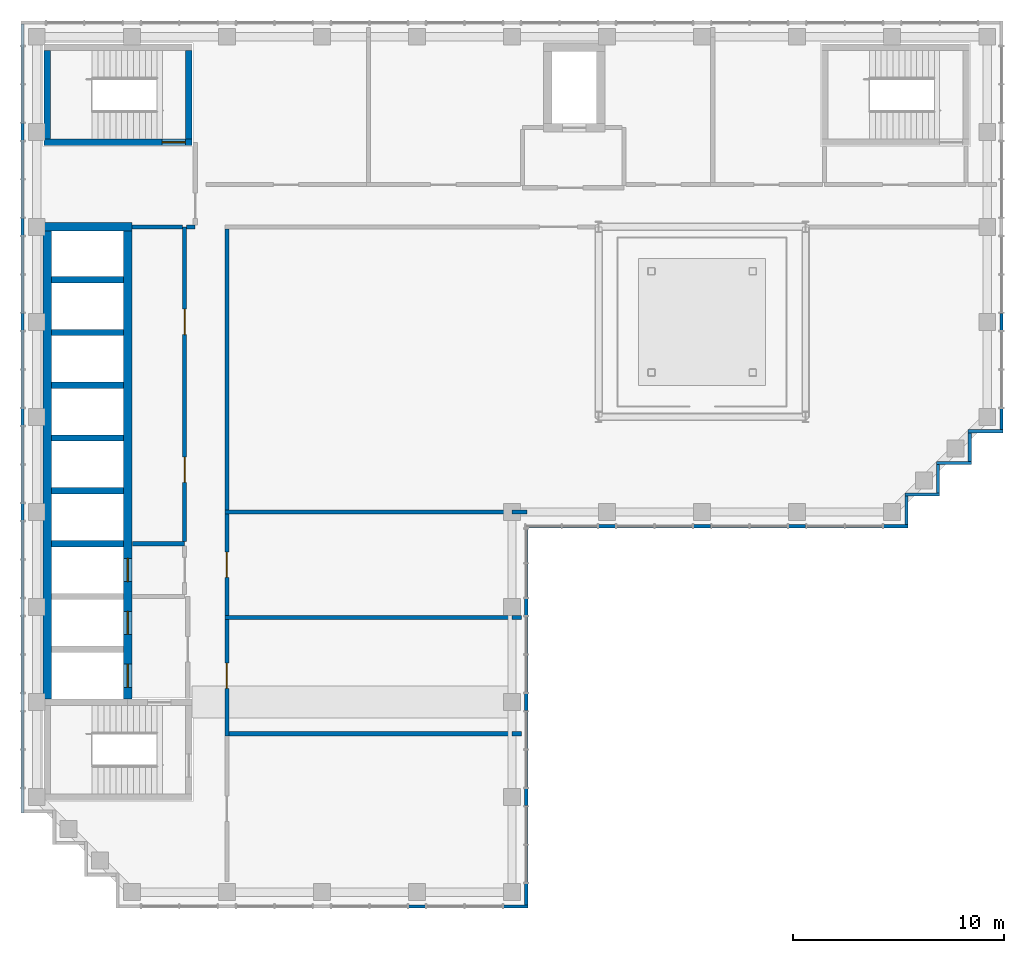
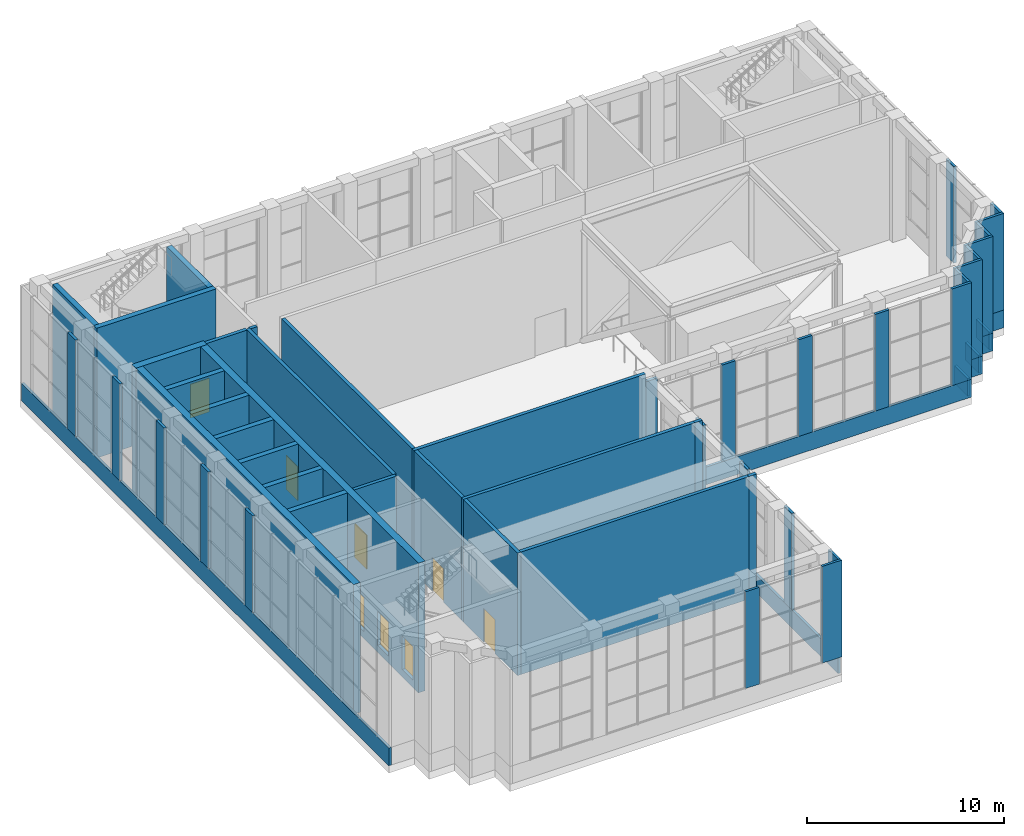
# One storey, part 13 of 17: 57 walls, 8 doors, 8 openings.
"""IFC4 building model written with IfcOpenShell, lengths in metres."""

from ifc_helpers import new_model, si_unit, direction, frame, frame_2d, origin, place, context, subcontext, project, spatial, rectangle, extrude, material, layer, layer_set, type_object, element, fill, save


model = new_model("IFC4")

# Units and contexts
model_context = context("Model", 3, precision=1e-05, world=origin(), true_north=direction((0.0, 1.0)))
body_context = subcontext(model_context, "Body", "Model", "MODEL_VIEW")
ifc_project = project(units=[si_unit("LENGTHUNIT", "METRE"), si_unit("AREAUNIT", "SQUARE_METRE"), si_unit("VOLUMEUNIT", "CUBIC_METRE"), si_unit("PLANEANGLEUNIT", "RADIAN"), si_unit("MASSUNIT", "GRAM", prefix="KILO")], contexts=[model_context])

# Site, building, storey
site_placement = place(None, origin())
site = spatial("IfcSite", under=ifc_project, at=site_placement, CompositionType="ELEMENT")
building_placement = place(site_placement, origin())
building = spatial("IfcBuilding", under=site, at=building_placement, Name="Firuza Court", CompositionType="ELEMENT")
storey_placement = place(building_placement, frame((0.0, 0.0, 258.199951171875)))
storey = spatial("IfcBuildingStorey", under=building, at=storey_placement, Name="L67", CompositionType="ELEMENT", Elevation=258.199951171875)

# Wall, opening, door
ifc_material_1 = material(Name="Concrete C50/60", Category="concrete")
ifc_layer_1 = layer(ifc_material_1, 0.300048828125)
ifc_layer_set_1 = layer_set([ifc_layer_1], Name="Concrete C50/60")
wall_type_1 = type_object("IfcWallType", Name="Core wall 300 C50/60", PredefinedType="SHEAR", material=ifc_layer_set_1)
wall_1_placement = place(storey_placement, frame((0.35009765625, 53.5, -0.449951171875), z_axis=(0.0, 0.0, 1.0), x_axis=(1.0, 0.0, 0.0)))
wall_1 = element("IfcWall", 1, at=wall_1_placement, inside=storey, type_object=wall_type_1, Name="Core wall stair L67", PredefinedType="SHEAR", context=body_context, shape_type="SweptSolid", body=[
    extrude(rectangle(XDim=7.0, YDim=0.300048828125, at=frame_2d((3.5, 0.0))), origin(), (0.0, 0.0, 1.0), 8.050048828125),
])
opening_1_placement = place(wall_1_placement, frame((5.580078125, 0.0, 0.449951171875)))
opening_1 = element("IfcOpeningElement", 2, at=opening_1_placement, cuts=wall_1, Name="Opening D67011", PredefinedType="OPENING", context=body_context, shape_type="SweptSolid", body=[
    extrude(rectangle(XDim=1.10009765625, YDim=2.10009765625, at=frame_2d((0.550048828125, 1.050048828125))), frame((0.0, 0.162109375, 0.0), z_axis=(0.0, -1.0, 0.0), x_axis=(1.0, 0.0, 0.0)), (0.0, 0.0, 1.0), 0.323974609375),
])
ifc_material_2 = material(Name="Timber door leaf in hardwood frame", Category="wood")
door_type_1 = type_object("IfcDoorType", Name="Stair door 1100", OperationType="SINGLE_SWING_LEFT", PredefinedType="DOOR", material=ifc_material_2)
door_1_placement = place(opening_1_placement, origin())
door_1 = element("IfcDoor", 3, at=door_1_placement, inside=storey, type_object=door_type_1, Name="Stair door S3", OperationType="SINGLE_SWING_RIGHT", OverallHeight=2.10009765625, OverallWidth=1.10009765625, PredefinedType="DOOR", context=body_context, shape_type="SweptSolid", body=[
    extrude(rectangle(XDim=1.10009765625, YDim=2.10009765625, at=frame_2d((0.550048828125, 1.050048828125))), frame((0.0, 0.02490234375, 0.0), z_axis=(0.0, -1.0, 0.0), x_axis=(1.0, 0.0, 0.0)), (0.0, 0.0, 1.0), 0.050048828125),
])
fill(opening_1, door_1)

# Walls
wall_2_placement = place(storey_placement, frame((0.5, 53.64990234375, -0.449951171875), z_axis=(0.0, 0.0, 1.0), x_axis=(0.0, 1.0, 0.0)))
element("IfcWall", 4, at=wall_2_placement, inside=storey, type_object=wall_type_1, Name="Core wall stair L67", PredefinedType="SHEAR", context=body_context, shape_type="SweptSolid", body=[
    extrude(rectangle(XDim=4.2001953125, YDim=0.300048828125, at=frame_2d((2.10009765625, 0.0))), origin(), (0.0, 0.0, 1.0), 8.050048828125),
])
for number, where, z_axis, x_axis, name in (
    (5, (0.699951171875, 34.5, -0.449951171875), (0.0, 0.0, 1.0), (1.0, 0.0, 0.0), "Core wall lift shaft L67"),
    (6, (0.699951171875, 37.0, -0.449951171875), (0.0, 0.0, 1.0), (1.0, 0.0, 0.0), "Core wall lift shaft L67"),
    (7, (0.699951171875, 39.5, -0.449951171875), (0.0, 0.0, 1.0), (1.0, 0.0, 0.0), "Core wall lift shaft L67"),
    (8, (0.699951171875, 42.0, -0.449951171875), (0.0, 0.0, 1.0), (1.0, 0.0, 0.0), "Core wall lift shaft L67"),
    (9, (0.699951171875, 44.5, -0.449951171875), (0.0, 0.0, 1.0), (1.0, 0.0, 0.0), "Core wall lift shaft L67"),
    (10, (0.699951171875, 47.0, -0.449951171875), (0.0, 0.0, 1.0), (1.0, 0.0, 0.0), "Core wall lift shaft L67"),
):
    element("IfcWall", number, at=place(storey_placement, frame(where, z_axis=z_axis, x_axis=x_axis)), inside=storey, type_object=wall_type_1, Name=name, PredefinedType="SHEAR", context=body_context, shape_type="SweptSolid", body=[
        extrude(rectangle(XDim=3.400146484375, YDim=0.300048828125, at=frame_2d((1.7001953125, 0.0))), origin(), (0.0, 0.0, 1.0), 8.050048828125),
    ])
wall_3_placement = place(storey_placement, frame((7.199951171875, 53.64990234375, -0.449951171875), z_axis=(0.0, 0.0, 1.0), x_axis=(0.0, 1.0, 0.0)))
element("IfcWall", 11, at=wall_3_placement, inside=storey, type_object=wall_type_1, Name="Core wall stair L67", PredefinedType="SHEAR", context=body_context, shape_type="SweptSolid", body=[
    extrude(rectangle(XDim=4.2001953125, YDim=0.300048828125, at=frame_2d((2.10009765625, 0.0))), origin(), (0.0, 0.0, 1.0), 8.050048828125),
])
ifc_layer_2 = layer(ifc_material_1, 0.39990234375)
ifc_layer_set_2 = layer_set([ifc_layer_2], Name="Concrete C50/60")
wall_type_2 = type_object("IfcWallType", Name="Core wall 400 C50/60", PredefinedType="SHEAR", material=ifc_layer_set_2)
wall_4_placement = place(storey_placement, frame((0.300048828125, 49.5, -0.449951171875), z_axis=(0.0, 0.0, 1.0), x_axis=(1.0, 0.0, 0.0)))
element("IfcWall", 12, at=wall_4_placement, inside=storey, type_object=wall_type_2, Name="Core wall lift shaft L67", PredefinedType="SHEAR", context=body_context, shape_type="SweptSolid", body=[
    extrude(rectangle(XDim=4.199951171875, YDim=0.39990234375, at=frame_2d((2.10009765625, 0.0))), origin(), (0.0, 0.0, 1.0), 8.050048828125),
])
wall_5_placement = place(storey_placement, frame((0.5, 27.14990234375, -0.449951171875), z_axis=(0.0, 0.0, 1.0), x_axis=(0.0, 1.0, 0.0)))
element("IfcWall", 13, at=wall_5_placement, inside=storey, type_object=wall_type_2, Name="Core wall lift shaft L67", PredefinedType="SHEAR", context=body_context, shape_type="SweptSolid", body=[
    extrude(rectangle(XDim=22.150146484375, YDim=0.39990234375, at=frame_2d((11.0751953125, 0.0))), origin(), (0.0, 0.0, 1.0), 8.050048828125),
])

# Wall, openings, doors
wall_6_placement = place(storey_placement, frame((4.300048828125, 27.14990234375, -0.449951171875), z_axis=(0.0, 0.0, 1.0), x_axis=(0.0, 1.0, 0.0)))
wall_6 = element("IfcWall", 14, at=wall_6_placement, inside=storey, type_object=wall_type_2, Name="Core wall lift shaft L67", PredefinedType="SHEAR", context=body_context, shape_type="SweptSolid", body=[
    extrude(rectangle(XDim=22.150146484375, YDim=0.39990234375, at=frame_2d((11.0751953125, 0.0))), origin(), (0.0, 0.0, 1.0), 8.050048828125),
])
opening_2_placement = place(wall_6_placement, frame((3.050048828125, 0.0, 0.449951171875)))
opening_2 = element("IfcOpeningElement", 15, at=opening_2_placement, cuts=wall_6, Name="Opening LD-FL1-67", PredefinedType="OPENING", context=body_context, shape_type="SweptSolid", body=[
    extrude(rectangle(XDim=1.10009765625, YDim=2.10009765625, at=frame_2d((0.550048828125, 1.050048828125))), frame((0.0, 0.2119140625, 0.0), z_axis=(0.0, -1.0, 0.0), x_axis=(1.0, 0.0, 0.0)), (0.0, 0.0, 1.0), 0.423828125),
])
opening_3_placement = place(wall_6_placement, frame((0.550048828125, 0.0, 0.449951171875)))
opening_3 = element("IfcOpeningElement", 16, at=opening_3_placement, cuts=wall_6, Name="Opening LD-FL2-67", PredefinedType="OPENING", context=body_context, shape_type="SweptSolid", body=[
    extrude(rectangle(XDim=1.10009765625, YDim=2.10009765625, at=frame_2d((0.550048828125, 1.050048828125))), frame((0.0, 0.2119140625, 0.0), z_axis=(0.0, -1.0, 0.0), x_axis=(1.0, 0.0, 0.0)), (0.0, 0.0, 1.0), 0.423828125),
])
opening_4_placement = place(wall_6_placement, frame((5.550048828125, 0.0, 0.449951171875)))
opening_4 = element("IfcOpeningElement", 17, at=opening_4_placement, cuts=wall_6, Name="Opening LD-SL1-67", PredefinedType="OPENING", context=body_context, shape_type="SweptSolid", body=[
    extrude(rectangle(XDim=1.10009765625, YDim=2.10009765625, at=frame_2d((0.550048828125, 1.050048828125))), frame((0.0, 0.2119140625, 0.0), z_axis=(0.0, -1.0, 0.0), x_axis=(1.0, 0.0, 0.0)), (0.0, 0.0, 1.0), 0.423828125),
])
ifc_material_3 = material(Name="Stainless steel 1.4301 door leaf", Category="steel")
door_type_2 = type_object("IfcDoorType", Name="Lift landing door 1100", OperationType="SLIDING_TO_LEFT", PredefinedType="DOOR", material=ifc_material_3)
door_2_placement = place(opening_2_placement, origin())
door_2 = element("IfcDoor", 18, at=door_2_placement, inside=storey, type_object=door_type_2, Name="Landing door FL1", OperationType="SLIDING_TO_LEFT", OverallHeight=2.10009765625, OverallWidth=1.10009765625, PredefinedType="DOOR", context=body_context, shape_type="SweptSolid", body=[
    extrude(rectangle(XDim=1.10009765625, YDim=2.10009765625, at=frame_2d((0.550048828125, 1.050048828125))), frame((0.0, 0.02490234375, 0.0), z_axis=(0.0, -1.0, 0.0), x_axis=(1.0, 0.0, 0.0)), (0.0, 0.0, 1.0), 0.050048828125),
])
fill(opening_2, door_2)
door_3_placement = place(opening_3_placement, origin())
door_3 = element("IfcDoor", 19, at=door_3_placement, inside=storey, type_object=door_type_2, Name="Landing door FL2", OperationType="SLIDING_TO_LEFT", OverallHeight=2.10009765625, OverallWidth=1.10009765625, PredefinedType="DOOR", context=body_context, shape_type="SweptSolid", body=[
    extrude(rectangle(XDim=1.10009765625, YDim=2.10009765625, at=frame_2d((0.550048828125, 1.050048828125))), frame((0.0, 0.02490234375, 0.0), z_axis=(0.0, -1.0, 0.0), x_axis=(1.0, 0.0, 0.0)), (0.0, 0.0, 1.0), 0.050048828125),
])
fill(opening_3, door_3)
door_4_placement = place(opening_4_placement, origin())
door_4 = element("IfcDoor", 20, at=door_4_placement, inside=storey, type_object=door_type_2, Name="Landing door SL1", OperationType="SLIDING_TO_LEFT", OverallHeight=2.10009765625, OverallWidth=1.10009765625, PredefinedType="DOOR", context=body_context, shape_type="SweptSolid", body=[
    extrude(rectangle(XDim=1.10009765625, YDim=2.10009765625, at=frame_2d((0.550048828125, 1.050048828125))), frame((0.0, 0.02490234375, 0.0), z_axis=(0.0, -1.0, 0.0), x_axis=(1.0, 0.0, 0.0)), (0.0, 0.0, 1.0), 0.050048828125),
])
fill(opening_4, door_4)

# Wall
ifc_material_4 = material(Name="Blockwork, fire-rated", Category="masonry")
ifc_layer_3 = layer(ifc_material_4, 0.199951171875)
ifc_layer_set_3 = layer_set([ifc_layer_3], Name="Blockwork, fire-rated")
wall_type_3 = type_object("IfcWallType", Name="Plant room wall 200", PredefinedType="PARTITIONING", material=ifc_layer_set_3)
wall_7_placement = place(storey_placement, frame((9.10009765625, 25.5, 0.0), z_axis=(0.0, 0.0, 1.0), x_axis=(1.0, 0.0, 0.0)))
element("IfcWall", 21, at=wall_7_placement, inside=storey, type_object=wall_type_3, Name="Plant room wall 200 L67", PredefinedType="PARTITIONING", context=body_context, shape_type="SweptSolid", body=[
    extrude(rectangle(XDim=13.39990234375, YDim=0.199951171875, at=frame_2d((6.699951171875, 0.0))), origin(), (0.0, 0.0, 1.0), 7.60009765625),
])

# Wall, opening, door
wall_8_placement = place(storey_placement, frame((9.0, 25.39990234375, 0.0), z_axis=(0.0, 0.0, 1.0), x_axis=(0.0, 1.0, 0.0)))
wall_8 = element("IfcWall", 22, at=wall_8_placement, inside=storey, type_object=wall_type_3, Name="Plant room wall 200 L67", PredefinedType="PARTITIONING", context=body_context, shape_type="SweptSolid", body=[
    extrude(rectangle(XDim=5.5, YDim=0.199951171875, at=frame_2d((2.75, 0.0))), origin(), (0.0, 0.0, 1.0), 7.60009765625),
])
opening_5_placement = place(wall_8_placement, frame((2.25, 0.0, 0.0)))
opening_5 = element("IfcOpeningElement", 23, at=opening_5_placement, cuts=wall_8, Name="Opening D67013", PredefinedType="OPENING", context=body_context, shape_type="SweptSolid", body=[
    extrude(rectangle(XDim=1.199951171875, YDim=2.10009765625, at=frame_2d((0.60009765625, 1.050048828125))), frame((0.0, 0.11181640625, 0.0), z_axis=(0.0, -1.0, 0.0), x_axis=(1.0, 0.0, 0.0)), (0.0, 0.0, 1.0), 0.223876953125),
])
ifc_material_5 = material(Name="Timber door leaf in hardwood frame", Category="wood")
door_type_3 = type_object("IfcDoorType", Name="Plant room door 1200", OperationType="SINGLE_SWING_LEFT", PredefinedType="DOOR", material=ifc_material_5)
door_5_placement = place(opening_5_placement, frame((1.199951171875, 0.0, 0.0), z_axis=(0.0, 0.0, 1.0), x_axis=(-1.0, 0.0, 0.0)))
door_5 = element("IfcDoor", 24, at=door_5_placement, inside=storey, type_object=door_type_3, Name="Plant door", OperationType="SINGLE_SWING_RIGHT", OverallHeight=2.10009765625, OverallWidth=1.199951171875, PredefinedType="DOOR", context=body_context, shape_type="SweptSolid", body=[
    extrude(rectangle(XDim=1.199951171875, YDim=2.10009765625, at=frame_2d((0.60009765625, 1.050048828125))), frame((0.0, 0.02490234375, 0.0), z_axis=(0.0, -1.0, 0.0), x_axis=(1.0, 0.0, 0.0)), (0.0, 0.0, 1.0), 0.050048828125),
])
fill(opening_5, door_5)

# Walls
wall_9_placement = place(storey_placement, frame((22.5, 25.5, 0.0), z_axis=(0.0, 0.0, 1.0), x_axis=(1.0, 0.0, 0.0)))
element("IfcWall", 25, at=wall_9_placement, inside=storey, type_object=wall_type_3, Name="Plant room wall 200 L67", PredefinedType="PARTITIONING", context=body_context, shape_type="SweptSolid", body=[
    extrude(rectangle(XDim=0.449951171875, YDim=0.199951171875, at=frame_2d((0.22509765625, 0.0))), origin(), (0.0, 0.0, 1.0), 7.60009765625),
])
wall_10_placement = place(storey_placement, frame((8.89990234375, 31.0, 0.0), z_axis=(0.0, 0.0, 1.0), x_axis=(1.0, 0.0, 0.0)))
element("IfcWall", 26, at=wall_10_placement, inside=storey, type_object=wall_type_3, Name="Plant room wall 200 L67", PredefinedType="PARTITIONING", context=body_context, shape_type="SweptSolid", body=[
    extrude(rectangle(XDim=13.60009765625, YDim=0.199951171875, at=frame_2d((6.800048828125, 0.0))), origin(), (0.0, 0.0, 1.0), 7.60009765625),
])

# Wall, opening, door
wall_11_placement = place(storey_placement, frame((9.0, 31.10009765625, 0.0), z_axis=(0.0, 0.0, 1.0), x_axis=(0.0, 1.0, 0.0)))
wall_11 = element("IfcWall", 27, at=wall_11_placement, inside=storey, type_object=wall_type_3, Name="Plant room wall 200 L67", PredefinedType="PARTITIONING", context=body_context, shape_type="SweptSolid", body=[
    extrude(rectangle(XDim=4.7998046875, YDim=0.199951171875, at=frame_2d((2.39990234375, 0.0))), origin(), (0.0, 0.0, 1.0), 7.60009765625),
])
opening_6_placement = place(wall_11_placement, frame((1.800048828125, 0.0, 0.0)))
opening_6 = element("IfcOpeningElement", 28, at=opening_6_placement, cuts=wall_11, Name="Opening D67014", PredefinedType="OPENING", context=body_context, shape_type="SweptSolid", body=[
    extrude(rectangle(XDim=1.199951171875, YDim=2.10009765625, at=frame_2d((0.60009765625, 1.050048828125))), frame((0.0, 0.11181640625, 0.0), z_axis=(0.0, -1.0, 0.0), x_axis=(1.0, 0.0, 0.0)), (0.0, 0.0, 1.0), 0.223876953125),
])
door_6_placement = place(opening_6_placement, frame((1.199951171875, 0.0, 0.0), z_axis=(0.0, 0.0, 1.0), x_axis=(-1.0, 0.0, 0.0)))
door_6 = element("IfcDoor", 29, at=door_6_placement, inside=storey, type_object=door_type_3, Name="Plant door", OperationType="SINGLE_SWING_RIGHT", OverallHeight=2.10009765625, OverallWidth=1.199951171875, PredefinedType="DOOR", context=body_context, shape_type="SweptSolid", body=[
    extrude(rectangle(XDim=1.199951171875, YDim=2.10009765625, at=frame_2d((0.60009765625, 1.050048828125))), frame((0.0, 0.02490234375, 0.0), z_axis=(0.0, -1.0, 0.0), x_axis=(1.0, 0.0, 0.0)), (0.0, 0.0, 1.0), 0.050048828125),
])
fill(opening_6, door_6)

# Walls
wall_12_placement = place(storey_placement, frame((22.5, 31.0, 0.0), z_axis=(0.0, 0.0, 1.0), x_axis=(1.0, 0.0, 0.0)))
element("IfcWall", 30, at=wall_12_placement, inside=storey, type_object=wall_type_3, Name="Plant room wall 200 L67", PredefinedType="PARTITIONING", context=body_context, shape_type="SweptSolid", body=[
    extrude(rectangle(XDim=0.449951171875, YDim=0.199951171875, at=frame_2d((0.22509765625, 0.0))), origin(), (0.0, 0.0, 1.0), 7.60009765625),
])
wall_13_placement = place(storey_placement, frame((9.0, 36.10009765625, 0.0), z_axis=(0.0, 0.0, 1.0), x_axis=(0.0, 1.0, 0.0)))
element("IfcWall", 31, at=wall_13_placement, inside=storey, type_object=wall_type_3, Name="Plant room wall 200 L67", PredefinedType="PARTITIONING", context=body_context, shape_type="SweptSolid", body=[
    extrude(rectangle(XDim=13.2998046875, YDim=0.199951171875, at=frame_2d((6.64990234375, 0.0))), origin(), (0.0, 0.0, 1.0), 7.60009765625),
])
wall_14_placement = place(storey_placement, frame((22.5, 36.0, 0.0), z_axis=(0.0, 0.0, 1.0), x_axis=(-1.0, 0.0, 0.0)))
element("IfcWall", 32, at=wall_14_placement, inside=storey, type_object=wall_type_3, Name="Plant room wall 200 L67", PredefinedType="PARTITIONING", context=body_context, shape_type="SweptSolid", body=[
    extrude(rectangle(XDim=13.60009765625, YDim=0.199951171875, at=frame_2d((6.800048828125, 0.0))), origin(), (0.0, 0.0, 1.0), 7.60009765625),
])
wall_15_placement = place(storey_placement, frame((23.199951171875, 36.0, 0.0), z_axis=(0.0, 0.0, 1.0), x_axis=(-1.0, 0.0, 0.0)))
element("IfcWall", 33, at=wall_15_placement, inside=storey, type_object=wall_type_3, Name="Plant room wall 200 L67", PredefinedType="PARTITIONING", context=body_context, shape_type="SweptSolid", body=[
    extrude(rectangle(XDim=0.699951171875, YDim=0.199951171875, at=frame_2d((0.35009765625, 0.0))), origin(), (0.0, 0.0, 1.0), 7.10009765625),
])
ifc_material_6 = material(Name="Ceramic tile", Category="ceramic")
ifc_layer_4 = layer(ifc_material_6, 0.02001953125)
ifc_material_7 = material(Name="Mineral wool insulation", Category="insulation")
ifc_layer_5 = layer(ifc_material_7, 0.050048828125)
ifc_material_8 = material(Name="Concrete C40/50 precast", Category="concrete")
ifc_layer_6 = layer(ifc_material_8, 0.080078125)
ifc_layer_set_4 = layer_set([ifc_layer_4, ifc_layer_5, ifc_layer_6], Name="Concrete C40/50 precast")
wall_type_4 = type_object("IfcWallType", Name="Precast cladding wall with turquoise TILE PANEL face 150", PredefinedType="STANDARD", material=ifc_layer_set_4)
wall_16_placement = place(storey_placement, frame((23.175048828125, 17.39990234375, 0.0), z_axis=(0.0, 0.0, 1.0), x_axis=(0.0, 1.0, 0.0)))
element("IfcWall", 34, at=wall_16_placement, inside=storey, type_object=wall_type_4, Name="Facade kerb wall L67 E", PredefinedType="STANDARD", context=body_context, shape_type="SweptSolid", body=[
    extrude(rectangle(XDim=17.85009765625, YDim=0.14990234375, at=frame_2d((8.925048828125, 0.0))), origin(), (0.0, 0.0, 1.0), 1.10009765625),
])
wall_17_placement = place(storey_placement, frame((23.10009765625, 35.324951171875, 0.0), z_axis=(0.0, 0.0, 1.0), x_axis=(1.0, 0.0, 0.0)))
element("IfcWall", 35, at=wall_17_placement, inside=storey, type_object=wall_type_4, Name="Facade kerb wall L67 S", PredefinedType="STANDARD", context=body_context, shape_type="SweptSolid", body=[
    extrude(rectangle(XDim=18.14990234375, YDim=0.14990234375, at=frame_2d((9.074951171875, 0.0))), origin(), (0.0, 0.0, 1.0), 1.10009765625),
])
wall_18_placement = place(storey_placement, frame((41.175048828125, 35.39990234375, 0.0), z_axis=(0.0, 0.0, 1.0), x_axis=(0.0, 1.0, 0.0)))
element("IfcWall", 36, at=wall_18_placement, inside=storey, type_object=wall_type_4, Name="Facade kerb wall L67 E", PredefinedType="STANDARD", context=body_context, shape_type="SweptSolid", body=[
    extrude(rectangle(XDim=1.35009765625, YDim=0.14990234375, at=frame_2d((0.675048828125, 0.0))), origin(), (0.0, 0.0, 1.0), 1.10009765625),
])
wall_19_placement = place(storey_placement, frame((41.10009765625, 36.824951171875, 0.0), z_axis=(0.0, 0.0, 1.0), x_axis=(1.0, 0.0, 0.0)))
element("IfcWall", 37, at=wall_19_placement, inside=storey, type_object=wall_type_4, Name="Facade kerb wall L67 S", PredefinedType="STANDARD", context=body_context, shape_type="SweptSolid", body=[
    extrude(rectangle(XDim=1.64990234375, YDim=0.14990234375, at=frame_2d((0.824951171875, 0.0))), origin(), (0.0, 0.0, 1.0), 1.10009765625),
])
wall_20_placement = place(storey_placement, frame((42.675048828125, 36.89990234375, 0.0), z_axis=(0.0, 0.0, 1.0), x_axis=(0.0, 1.0, 0.0)))
element("IfcWall", 38, at=wall_20_placement, inside=storey, type_object=wall_type_4, Name="Facade kerb wall L67 E", PredefinedType="STANDARD", context=body_context, shape_type="SweptSolid", body=[
    extrude(rectangle(XDim=1.35009765625, YDim=0.14990234375, at=frame_2d((0.675048828125, 0.0))), origin(), (0.0, 0.0, 1.0), 1.10009765625),
])
wall_21_placement = place(storey_placement, frame((42.60009765625, 38.324951171875, 0.0), z_axis=(0.0, 0.0, 1.0), x_axis=(1.0, 0.0, 0.0)))
element("IfcWall", 39, at=wall_21_placement, inside=storey, type_object=wall_type_4, Name="Facade kerb wall L67 S", PredefinedType="STANDARD", context=body_context, shape_type="SweptSolid", body=[
    extrude(rectangle(XDim=1.64990234375, YDim=0.14990234375, at=frame_2d((0.824951171875, 0.0))), origin(), (0.0, 0.0, 1.0), 1.10009765625),
])
wall_22_placement = place(storey_placement, frame((44.175048828125, 38.39990234375, 0.0), z_axis=(0.0, 0.0, 1.0), x_axis=(0.0, 1.0, 0.0)))
element("IfcWall", 40, at=wall_22_placement, inside=storey, type_object=wall_type_4, Name="Facade kerb wall L67 E", PredefinedType="STANDARD", context=body_context, shape_type="SweptSolid", body=[
    extrude(rectangle(XDim=1.35009765625, YDim=0.14990234375, at=frame_2d((0.675048828125, 0.0))), origin(), (0.0, 0.0, 1.0), 1.10009765625),
])
wall_23_placement = place(storey_placement, frame((44.10009765625, 39.824951171875, 0.0), z_axis=(0.0, 0.0, 1.0), x_axis=(1.0, 0.0, 0.0)))
element("IfcWall", 41, at=wall_23_placement, inside=storey, type_object=wall_type_4, Name="Facade kerb wall L67 S", PredefinedType="STANDARD", context=body_context, shape_type="SweptSolid", body=[
    extrude(rectangle(XDim=1.64990234375, YDim=0.14990234375, at=frame_2d((0.824951171875, 0.0))), origin(), (0.0, 0.0, 1.0), 1.10009765625),
])
wall_24_placement = place(storey_placement, frame((-0.675048828125, 59.10009765625, 0.0), z_axis=(0.0, 0.0, 1.0), x_axis=(0.0, -1.0, 0.0)))
element("IfcWall", 42, at=wall_24_placement, inside=storey, type_object=wall_type_4, Name="Facade kerb wall L67 W", PredefinedType="STANDARD", context=body_context, shape_type="SweptSolid", body=[
    extrude(rectangle(XDim=37.35009765625, YDim=0.14990234375, at=frame_2d((18.675048828125, 0.0))), origin(), (0.0, 0.0, 1.0), 1.10009765625),
])
wall_25_placement = place(storey_placement, frame((17.60009765625, 17.324951171875, 1.10009765625), z_axis=(0.0, 0.0, 1.0), x_axis=(1.0, 0.0, 0.0)))
element("IfcWall", 43, at=wall_25_placement, inside=storey, type_object=wall_type_4, Name="Facade wall L67 S", PredefinedType="STANDARD", context=body_context, shape_type="SweptSolid", body=[
    extrude(rectangle(XDim=0.7998046875, YDim=0.14990234375, at=frame_2d((0.39990234375, 0.0))), origin(), (0.0, 0.0, 1.0), 6.0),
])
wall_26_placement = place(storey_placement, frame((22.10009765625, 17.324951171875, 1.10009765625), z_axis=(0.0, 0.0, 1.0), x_axis=(1.0, 0.0, 0.0)))
element("IfcWall", 44, at=wall_26_placement, inside=storey, type_object=wall_type_4, Name="Facade wall L67 S", PredefinedType="STANDARD", context=body_context, shape_type="SweptSolid", body=[
    extrude(rectangle(XDim=1.14990234375, YDim=0.14990234375, at=frame_2d((0.574951171875, 0.0))), origin(), (0.0, 0.0, 1.0), 6.0),
])
wall_27_placement = place(storey_placement, frame((23.175048828125, 17.39990234375, 1.10009765625), z_axis=(0.0, 0.0, 1.0), x_axis=(0.0, 1.0, 0.0)))
element("IfcWall", 45, at=wall_27_placement, inside=storey, type_object=wall_type_4, Name="Facade wall L67 E", PredefinedType="STANDARD", context=body_context, shape_type="SweptSolid", body=[
    extrude(rectangle(XDim=1.0, YDim=0.14990234375, at=frame_2d((0.5, 0.0))), origin(), (0.0, 0.0, 1.0), 6.0),
])
for number, where, z_axis, x_axis, name in (
    (46, (23.175048828125, 22.10009765625, 1.10009765625), (0.0, 0.0, 1.0), (0.0, 1.0, 0.0), "Facade wall L67 E"),
    (47, (23.175048828125, 26.60009765625, 1.10009765625), (0.0, 0.0, 1.0), (0.0, 1.0, 0.0), "Facade wall L67 E"),
    (48, (23.175048828125, 31.10009765625, 1.10009765625), (0.0, 0.0, 1.0), (0.0, 1.0, 0.0), "Facade wall L67 E"),
    (49, (26.60009765625, 35.324951171875, 1.10009765625), (0.0, 0.0, 1.0), (1.0, 0.0, 0.0), "Facade wall L67 S"),
    (50, (31.10009765625, 35.324951171875, 1.10009765625), (0.0, 0.0, 1.0), (1.0, 0.0, 0.0), "Facade wall L67 S"),
    (51, (35.60009765625, 35.324951171875, 1.10009765625), (0.0, 0.0, 1.0), (1.0, 0.0, 0.0), "Facade wall L67 S"),
):
    element("IfcWall", number, at=place(storey_placement, frame(where, z_axis=z_axis, x_axis=x_axis)), inside=storey, type_object=wall_type_4, Name=name, PredefinedType="STANDARD", context=body_context, shape_type="SweptSolid", body=[
        extrude(rectangle(XDim=0.7998046875, YDim=0.14990234375, at=frame_2d((0.39990234375, 0.0))), origin(), (0.0, 0.0, 1.0), 6.0),
    ])
wall_28_placement = place(storey_placement, frame((40.10009765625, 35.324951171875, 1.10009765625), z_axis=(0.0, 0.0, 1.0), x_axis=(1.0, 0.0, 0.0)))
element("IfcWall", 52, at=wall_28_placement, inside=storey, type_object=wall_type_4, Name="Facade wall L67 S", PredefinedType="STANDARD", context=body_context, shape_type="SweptSolid", body=[
    extrude(rectangle(XDim=1.14990234375, YDim=0.14990234375, at=frame_2d((0.574951171875, 0.0))), origin(), (0.0, 0.0, 1.0), 6.0),
])
wall_29_placement = place(storey_placement, frame((41.175048828125, 35.39990234375, 1.10009765625), z_axis=(0.0, 0.0, 1.0), x_axis=(0.0, 1.0, 0.0)))
element("IfcWall", 53, at=wall_29_placement, inside=storey, type_object=wall_type_4, Name="Facade wall L67 E", PredefinedType="STANDARD", context=body_context, shape_type="SweptSolid", body=[
    extrude(rectangle(XDim=1.35009765625, YDim=0.14990234375, at=frame_2d((0.675048828125, 0.0))), origin(), (0.0, 0.0, 1.0), 6.0),
])
wall_30_placement = place(storey_placement, frame((41.10009765625, 36.824951171875, 1.10009765625), z_axis=(0.0, 0.0, 1.0), x_axis=(1.0, 0.0, 0.0)))
element("IfcWall", 54, at=wall_30_placement, inside=storey, type_object=wall_type_4, Name="Facade wall L67 S", PredefinedType="STANDARD", context=body_context, shape_type="SweptSolid", body=[
    extrude(rectangle(XDim=1.64990234375, YDim=0.14990234375, at=frame_2d((0.824951171875, 0.0))), origin(), (0.0, 0.0, 1.0), 6.0),
])
wall_31_placement = place(storey_placement, frame((42.675048828125, 36.89990234375, 1.10009765625), z_axis=(0.0, 0.0, 1.0), x_axis=(0.0, 1.0, 0.0)))
element("IfcWall", 55, at=wall_31_placement, inside=storey, type_object=wall_type_4, Name="Facade wall L67 E", PredefinedType="STANDARD", context=body_context, shape_type="SweptSolid", body=[
    extrude(rectangle(XDim=1.35009765625, YDim=0.14990234375, at=frame_2d((0.675048828125, 0.0))), origin(), (0.0, 0.0, 1.0), 6.0),
])
wall_32_placement = place(storey_placement, frame((42.60009765625, 38.324951171875, 1.10009765625), z_axis=(0.0, 0.0, 1.0), x_axis=(1.0, 0.0, 0.0)))
element("IfcWall", 56, at=wall_32_placement, inside=storey, type_object=wall_type_4, Name="Facade wall L67 S", PredefinedType="STANDARD", context=body_context, shape_type="SweptSolid", body=[
    extrude(rectangle(XDim=1.64990234375, YDim=0.14990234375, at=frame_2d((0.824951171875, 0.0))), origin(), (0.0, 0.0, 1.0), 6.0),
])
wall_33_placement = place(storey_placement, frame((44.175048828125, 38.39990234375, 1.10009765625), z_axis=(0.0, 0.0, 1.0), x_axis=(0.0, 1.0, 0.0)))
element("IfcWall", 57, at=wall_33_placement, inside=storey, type_object=wall_type_4, Name="Facade wall L67 E", PredefinedType="STANDARD", context=body_context, shape_type="SweptSolid", body=[
    extrude(rectangle(XDim=1.35009765625, YDim=0.14990234375, at=frame_2d((0.675048828125, 0.0))), origin(), (0.0, 0.0, 1.0), 6.0),
])
wall_34_placement = place(storey_placement, frame((44.10009765625, 39.824951171875, 1.10009765625), z_axis=(0.0, 0.0, 1.0), x_axis=(1.0, 0.0, 0.0)))
element("IfcWall", 58, at=wall_34_placement, inside=storey, type_object=wall_type_4, Name="Facade wall L67 S", PredefinedType="STANDARD", context=body_context, shape_type="SweptSolid", body=[
    extrude(rectangle(XDim=1.64990234375, YDim=0.14990234375, at=frame_2d((0.824951171875, 0.0))), origin(), (0.0, 0.0, 1.0), 6.0),
])
wall_35_placement = place(storey_placement, frame((45.675048828125, 39.89990234375, 1.10009765625), z_axis=(0.0, 0.0, 1.0), x_axis=(0.0, 1.0, 0.0)))
element("IfcWall", 59, at=wall_35_placement, inside=storey, type_object=wall_type_4, Name="Facade wall L67 E", PredefinedType="STANDARD", context=body_context, shape_type="SweptSolid", body=[
    extrude(rectangle(XDim=1.0, YDim=0.14990234375, at=frame_2d((0.5, 0.0))), origin(), (0.0, 0.0, 1.0), 6.0),
])
for number, where, z_axis, x_axis, name in (
    (60, (45.675048828125, 44.60009765625, 1.10009765625), (0.0, 0.0, 1.0), (0.0, 1.0, 0.0), "Facade wall L67 E"),
    (61, (-0.675048828125, 54.39990234375, 1.10009765625), (0.0, 0.0, 1.0), (0.0, -1.0, 0.0), "Facade wall L67 W"),
    (62, (-0.675048828125, 49.89990234375, 1.10009765625), (0.0, 0.0, 1.0), (0.0, -1.0, 0.0), "Facade wall L67 W"),
    (63, (-0.675048828125, 45.39990234375, 1.10009765625), (0.0, 0.0, 1.0), (0.0, -1.0, 0.0), "Facade wall L67 W"),
    (64, (-0.675048828125, 40.89990234375, 1.10009765625), (0.0, 0.0, 1.0), (0.0, -1.0, 0.0), "Facade wall L67 W"),
    (65, (-0.675048828125, 36.39990234375, 1.10009765625), (0.0, 0.0, 1.0), (0.0, -1.0, 0.0), "Facade wall L67 W"),
):
    element("IfcWall", number, at=place(storey_placement, frame(where, z_axis=z_axis, x_axis=x_axis)), inside=storey, type_object=wall_type_4, Name=name, PredefinedType="STANDARD", context=body_context, shape_type="SweptSolid", body=[
        extrude(rectangle(XDim=0.7998046875, YDim=0.14990234375, at=frame_2d((0.39990234375, 0.0))), origin(), (0.0, 0.0, 1.0), 6.0),
    ])
ifc_layer_7 = layer(ifc_material_4, 0.199951171875)
ifc_layer_set_5 = layer_set([ifc_layer_7], Name="Blockwork, fire-rated")
wall_type_5 = type_object("IfcWallType", Name="Shaft wall 200", PredefinedType="PARTITIONING", material=ifc_layer_set_5)
wall_36_placement = place(storey_placement, frame((4.52001953125, 34.5, 0.0), z_axis=(0.0, 0.0, 1.0), x_axis=(1.0, 0.0, 0.0)))
element("IfcWall", 66, at=wall_36_placement, inside=storey, type_object=wall_type_5, Name="Shaft wall 200 L67", PredefinedType="PARTITIONING", context=body_context, shape_type="SweptSolid", body=[
    extrude(rectangle(XDim=2.47998046875, YDim=0.199951171875, at=frame_2d((1.239990234375, 0.0))), origin(), (0.0, 0.0, 1.0), 7.60009765625),
])

# Wall, openings, doors
wall_37_placement = place(storey_placement, frame((7.0, 34.60009765625, 0.0), z_axis=(0.0, 0.0, 1.0), x_axis=(0.0, 1.0, 0.0)))
wall_37 = element("IfcWall", 67, at=wall_37_placement, inside=storey, type_object=wall_type_5, Name="Shaft wall 200 L67", PredefinedType="PARTITIONING", context=body_context, shape_type="SweptSolid", body=[
    extrude(rectangle(XDim=14.89990234375, YDim=0.199951171875, at=frame_2d((7.449951171875, 0.0))), origin(), (0.0, 0.0, 1.0), 7.60009765625),
])
opening_7_placement = place(wall_37_placement, frame((2.800048828125, 0.0, 0.0)))
opening_7 = element("IfcOpeningElement", 68, at=opening_7_placement, cuts=wall_37, Name="Opening D67004", PredefinedType="OPENING", context=body_context, shape_type="SweptSolid", body=[
    extrude(rectangle(XDim=1.199951171875, YDim=2.10009765625, at=frame_2d((0.60009765625, 1.050048828125))), frame((0.0, 0.11181640625, 0.0), z_axis=(0.0, -1.0, 0.0), x_axis=(1.0, 0.0, 0.0)), (0.0, 0.0, 1.0), 0.223876953125),
])
opening_8_placement = place(wall_37_placement, frame((9.800048828125, 0.0, 0.0)))
opening_8 = element("IfcOpeningElement", 69, at=opening_8_placement, cuts=wall_37, Name="Opening D67005", PredefinedType="OPENING", context=body_context, shape_type="SweptSolid", body=[
    extrude(rectangle(XDim=1.199951171875, YDim=2.10009765625, at=frame_2d((0.60009765625, 1.050048828125))), frame((0.0, 0.11181640625, 0.0), z_axis=(0.0, -1.0, 0.0), x_axis=(1.0, 0.0, 0.0)), (0.0, 0.0, 1.0), 0.223876953125),
])
ifc_material_9 = material(Name="Timber door leaf in hardwood frame", Category="wood")
door_type_4 = type_object("IfcDoorType", Name="Lobby door 1200", OperationType="SINGLE_SWING_LEFT", PredefinedType="DOOR", material=ifc_material_9)
door_7_placement = place(opening_7_placement, origin())
door_7 = element("IfcDoor", 70, at=door_7_placement, inside=storey, type_object=door_type_4, Name="Lobby door", OperationType="SINGLE_SWING_LEFT", OverallHeight=2.10009765625, OverallWidth=1.199951171875, PredefinedType="DOOR", context=body_context, shape_type="SweptSolid", body=[
    extrude(rectangle(XDim=1.199951171875, YDim=2.10009765625, at=frame_2d((0.60009765625, 1.050048828125))), frame((0.0, 0.02490234375, 0.0), z_axis=(0.0, -1.0, 0.0), x_axis=(1.0, 0.0, 0.0)), (0.0, 0.0, 1.0), 0.050048828125),
])
fill(opening_7, door_7)
door_8_placement = place(opening_8_placement, origin())
door_8 = element("IfcDoor", 71, at=door_8_placement, inside=storey, type_object=door_type_4, Name="Lobby door", OperationType="SINGLE_SWING_RIGHT", OverallHeight=2.10009765625, OverallWidth=1.199951171875, PredefinedType="DOOR", context=body_context, shape_type="SweptSolid", body=[
    extrude(rectangle(XDim=1.199951171875, YDim=2.10009765625, at=frame_2d((0.60009765625, 1.050048828125))), frame((0.0, 0.02490234375, 0.0), z_axis=(0.0, -1.0, 0.0), x_axis=(1.0, 0.0, 0.0)), (0.0, 0.0, 1.0), 0.050048828125),
])
fill(opening_8, door_8)

# Walls
wall_38_placement = place(storey_placement, frame((4.5, 49.5, 0.0), z_axis=(0.0, 0.0, 1.0), x_axis=(1.0, 0.0, 0.0)))
element("IfcWall", 72, at=wall_38_placement, inside=storey, type_object=wall_type_5, Name="Shaft wall 200 L67", PredefinedType="PARTITIONING", context=body_context, shape_type="SweptSolid", body=[
    extrude(rectangle(XDim=2.39990234375, YDim=0.199951171875, at=frame_2d((1.199951171875, 0.0))), origin(), (0.0, 0.0, 1.0), 7.60009765625),
])
wall_39_placement = place(storey_placement, frame((7.10009765625, 49.5, 0.0), z_axis=(0.0, 0.0, 1.0), x_axis=(1.0, 0.0, 0.0)))
element("IfcWall", 73, at=wall_39_placement, inside=storey, type_object=wall_type_5, Name="Shaft wall 200 L67", PredefinedType="PARTITIONING", context=body_context, shape_type="SweptSolid", body=[
    extrude(rectangle(XDim=0.39990234375, YDim=0.199951171875, at=frame_2d((0.199951171875, 0.0))), origin(), (0.0, 0.0, 1.0), 7.60009765625),
])

save(model, "model.ifc")
